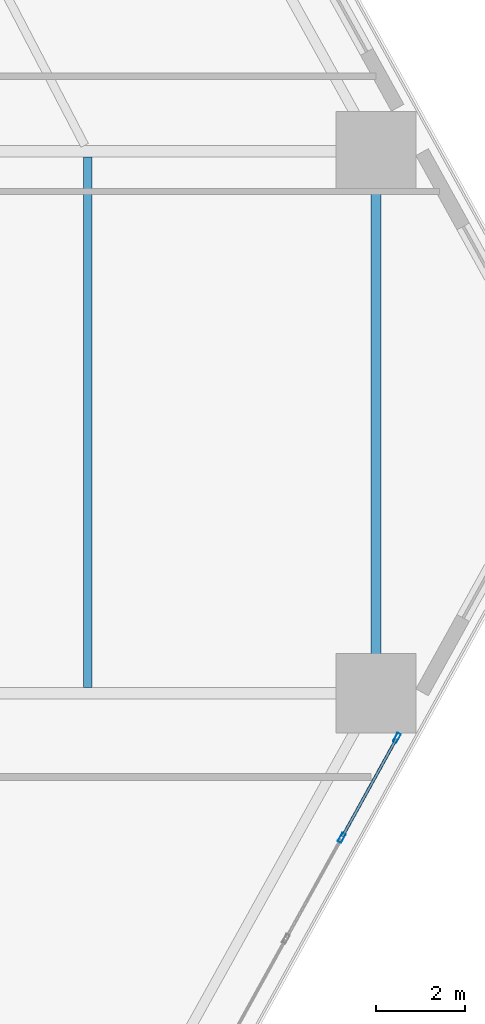
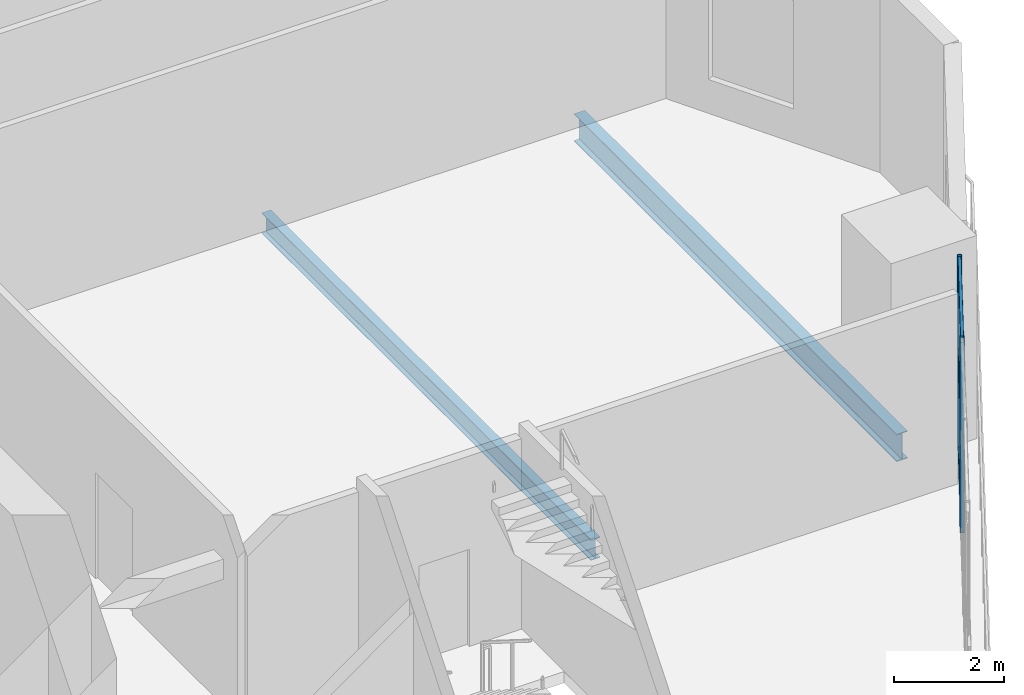
# One storey, part 4 of 18: 5 members, 2 beams, 1 element without a shape of its own.
"""IFC4 building model written with IfcOpenShell, lengths in metres."""

import ifcopenshell
import ifcopenshell.guid

model = None  # the IFC model being written
_history = None  # IfcOwnerHistory: only IFC2X3 demands one
_inside = {}  # id of a spatial element -> (the spatial element, [elements in it])
_under = {}  # id of a project, library or spatial element -> (it, [spatial elements below it])
_declared = {}  # id of a project -> (the project, [libraries it declares])
_typed = {}  # id of a type object -> (the type object, [elements of that type])
_made_of = {}  # id of a material, layer set ... -> (it, [elements and type objects made of it])


def new_model(schema):
    """Start an empty IFC model of exactly this schema.

    Asked for "IFC4X3", IfcOpenShell would pick the latest addendum, in which some entities
    have other attributes; the version numbers below select the first issue.
    IFC2X3 requires an IfcOwnerHistory on every rooted entity: one is made here for all.
    """
    global model, _history
    if schema == "IFC4X3":
        model = ifcopenshell.file(schema_version=(4, 3, 0, 0))
    else:
        model = ifcopenshell.file(schema=schema)
    _inside.clear()
    _under.clear()
    _declared.clear()
    _typed.clear()
    _made_of.clear()
    _history = None
    if model.schema == "IFC2X3":
        org = make("IfcOrganization", Name="unknown")
        user = make(
            "IfcPersonAndOrganization",
            ThePerson=make("IfcPerson", FamilyName="unknown"),
            TheOrganization=org,
        )
        app = make(
            "IfcApplication",
            ApplicationDeveloper=org,
            Version="unknown",
            ApplicationFullName="unknown",
            ApplicationIdentifier="unknown",
        )
        _history = make(
            "IfcOwnerHistory",
            OwningUser=user,
            OwningApplication=app,
            ChangeAction="ADDED",
            CreationDate=0,
        )
    return model


def make(cls, **values):
    """One entity of the class cls with the attributes given. An attribute that is None is left unset."""
    return model.create_entity(
        cls, **{name: value for name, value in values.items() if value is not None}
    )


def rooted(cls, **values):
    """An entity with a GlobalId (a new one), such as an element, a storey or a relation."""
    return make(cls, GlobalId=ifcopenshell.guid.new(), OwnerHistory=_history, **values)


def si_unit(unit_type, name, prefix=None):
    """IfcSIUnit, for example si_unit("LENGTHUNIT", "METRE", prefix="MILLI")."""
    return make("IfcSIUnit", UnitType=unit_type, Prefix=prefix, Name=name)


def assignment(units):
    """IfcUnitAssignment: the units of a project."""
    return None if units is None else make("IfcUnitAssignment", Units=units)


def point(xyz):
    """IfcCartesianPoint."""
    return None if xyz is None else make("IfcCartesianPoint", Coordinates=xyz)


def direction(xyz):
    """IfcDirection."""
    return None if xyz is None else make("IfcDirection", DirectionRatios=xyz)


def frame(location, z_axis=None, x_axis=None):
    """IfcAxis2Placement3D, a coordinate frame: its origin and axes. An axis left out is left unset."""
    return make(
        "IfcAxis2Placement3D",
        Location=point(location),
        Axis=direction(z_axis),
        RefDirection=direction(x_axis),
    )


def frame_2d(location, x_axis=None):
    """IfcAxis2Placement2D, a coordinate frame in the plane: its origin and x axis."""
    return make(
        "IfcAxis2Placement2D", Location=point(location), RefDirection=direction(x_axis)
    )


def origin():
    """The frame at (0, 0, 0) with its axes left unset."""
    return frame((0.0, 0.0, 0.0))


def origin_2d():
    """The frame at (0, 0) in the plane with its x axis left unset."""
    return frame_2d((0.0, 0.0))


def place(relative_to, where):
    """IfcLocalPlacement: puts the frame where relative to a parent placement (None: the world)."""
    return make(
        "IfcLocalPlacement", PlacementRelTo=relative_to, RelativePlacement=where
    )


def context(
    kind, dimensions, precision=None, world=None, true_north=None, identifier=None
):
    """IfcGeometricRepresentationContext, for example the 3D "Model" context."""
    return make(
        "IfcGeometricRepresentationContext",
        ContextIdentifier=identifier,
        ContextType=kind,
        CoordinateSpaceDimension=dimensions,
        Precision=precision,
        WorldCoordinateSystem=world,
        TrueNorth=true_north,
    )


def subcontext(parent, identifier, kind, view, scale=None):
    """IfcGeometricRepresentationSubContext, for example "Body" below "Model"."""
    return make(
        "IfcGeometricRepresentationSubContext",
        ContextIdentifier=identifier,
        ContextType=kind,
        ParentContext=parent,
        TargetScale=scale,
        TargetView=view,
    )


def project(units=None, contexts=None):
    """IfcProject with its units and contexts."""
    return rooted(
        "IfcProject",
        Name="project",
        RepresentationContexts=contexts,
        UnitsInContext=assignment(units),
    )


def spatial(cls, under=None, at=None, **own):
    """A site, building, storey or space (cls), placed at a placement, below another one or the project."""
    s = rooted(cls, ObjectPlacement=at, **own)
    if under is not None:
        _under.setdefault(under.id(), (under, []))[1].append(s)
    return s


def profile(cls, at=None, kind="AREA", **sizes):
    """A parametric profile (cls). Its sizes go by their IFC names, for example OverallWidth=200.0."""
    return make(cls, ProfileType=kind, Position=at, **sizes)


def hollow_rectangle(**sizes):
    """IfcRectangleHollowProfileDef."""
    return profile("IfcRectangleHollowProfileDef", **sizes)


def i_section(**sizes):
    """IfcIShapeProfileDef."""
    return profile("IfcIShapeProfileDef", **sizes)


def extrude(swept, where, along, depth):
    """IfcExtrudedAreaSolid: the profile swept, set in the frame where, extruded along a direction by depth."""
    return make(
        "IfcExtrudedAreaSolid",
        SweptArea=swept,
        Position=where,
        ExtrudedDirection=direction(along),
        Depth=depth,
    )


def shape(context_of_items, identifier, shape_type, items):
    """IfcShapeRepresentation: the items that make up one representation, for example the "Body"."""
    return make(
        "IfcShapeRepresentation",
        ContextOfItems=context_of_items,
        RepresentationIdentifier=identifier,
        RepresentationType=shape_type,
        Items=items,
    )


def material(Name=None, Category=None):
    """IfcMaterial."""
    return make("IfcMaterial", Name=Name, Category=Category)


def layer(
    of_material, thickness, ventilated=None, Name=None, Category=None, Priority=None
):
    """IfcMaterialLayer: one layer of a wall or slab, of a material (None: an air gap)."""
    return make(
        "IfcMaterialLayer",
        Material=of_material,
        LayerThickness=thickness,
        IsVentilated=ventilated,
        Name=Name,
        Category=Category,
        Priority=Priority,
    )


def layer_set(layers, Name=None):
    """IfcMaterialLayerSet."""
    return make("IfcMaterialLayerSet", MaterialLayers=layers, LayerSetName=Name)


def material_profile(
    of_material, cross_section, Name=None, Category=None, Priority=None
):
    """IfcMaterialProfile: a cross section and its material."""
    return make(
        "IfcMaterialProfile",
        Name=Name,
        Material=of_material,
        Profile=cross_section,
        Priority=Priority,
        Category=Category,
    )


def profile_set(profiles, Name=None, composite=None):
    """IfcMaterialProfileSet."""
    return make(
        "IfcMaterialProfileSet",
        Name=Name,
        MaterialProfiles=profiles,
        CompositeProfile=composite,
    )


def made_of(thing, what):
    """Note that an element or type object is made of a material, layer set ...; save() writes the relation."""
    if what is not None:
        _made_of.setdefault(what.id(), (what, []))[1].append(thing)
    return thing


def type_object(cls, material=None, **own):
    """A type object (cls), such as IfcWallType, which elements share."""
    return made_of(rooted(cls, **own), material)


def element(
    cls,
    number,
    at=None,
    inside=None,
    cuts=None,
    type_object=None,
    material=None,
    context=None,
    identifier="Body",
    shape_type=None,
    held_by="IfcProductDefinitionShape",
    body=None,
    shapes=None,
    **own,
):
    """One element of the class cls, such as IfcWall. Its Tag is "e" and its number.

    at: its placement. inside: the storey or other place that contains it. cuts: it is an
    opening in that element (IfcRelVoidsElement). A single representation is given by context,
    identifier, shape_type and body (its items); several are given by shapes. held_by: the class
    of the entity that holds the representations. save() writes the other relations.
    """
    e = rooted(cls, Tag="e%d" % number, ObjectPlacement=at, **own)
    if body is not None:
        shapes = [shape(context, identifier, shape_type, body)]
    if shapes is not None:
        e.Representation = make(held_by, Representations=shapes)
    if inside is not None:
        _inside.setdefault(inside.id(), (inside, []))[1].append(e)
    if cuts is not None:
        rooted(
            "IfcRelVoidsElement", RelatingBuildingElement=cuts, RelatedOpeningElement=e
        )
    if type_object is not None:
        _typed.setdefault(type_object.id(), (type_object, []))[1].append(e)
    return made_of(e, material)


def aggregate(whole, parts):
    """IfcRelAggregates: a whole, such as a stair, and the parts it consists of."""
    return rooted("IfcRelAggregates", RelatingObject=whole, RelatedObjects=parts)


def save(model, path):
    """Write the relations noted so far, then the file.

    IfcRelAggregates (storeys below a building ...), IfcRelContainedInSpatialStructure (elements
    in a storey), IfcRelDefinesByType, IfcRelAssociatesMaterial and IfcRelDeclares: one each for
    every whole, place, type object, material and project.
    """
    for whole, parts in _under.values():
        aggregate(whole, parts)
    for where, things in _inside.values():
        rooted(
            "IfcRelContainedInSpatialStructure",
            RelatedElements=things,
            RelatingStructure=where,
        )
    for kind, things in _typed.values():
        rooted("IfcRelDefinesByType", RelatedObjects=things, RelatingType=kind)
    for what, things in _made_of.values():
        rooted("IfcRelAssociatesMaterial", RelatedObjects=things, RelatingMaterial=what)
    for by, libraries in _declared.values():
        rooted("IfcRelDeclares", RelatingContext=by, RelatedDefinitions=libraries)
    model.write(path)


model = new_model("IFC4")

# Units and contexts
model_context = context("Model", 3, precision=1e-05, world=origin(), true_north=direction((0.0, 1.0)))
body_context = subcontext(model_context, "Body", "Model", "MODEL_VIEW")
ifc_project = project(units=[si_unit("LENGTHUNIT", "METRE"), si_unit("AREAUNIT", "SQUARE_METRE"), si_unit("VOLUMEUNIT", "CUBIC_METRE"), si_unit("PLANEANGLEUNIT", "RADIAN"), si_unit("MASSUNIT", "GRAM", prefix="KILO")], contexts=[model_context])

# Site, building, storey
site_placement = place(None, origin())
site = spatial("IfcSite", under=ifc_project, at=site_placement, CompositionType="ELEMENT")
building_placement = place(site_placement, origin())
building = spatial("IfcBuilding", under=site, at=building_placement, Name="Cinnabar Lancet Tower", CompositionType="ELEMENT")
storey_placement = place(building_placement, frame((0.0, 0.0, 15.0)))
storey = spatial("IfcBuildingStorey", under=building, at=storey_placement, Name="L03", CompositionType="ELEMENT", Elevation=15.0)

# Curtain wall, members
ifc_material_1 = material(Name="Thermally broken bronze-anodized aluminium and low-E glass", Category="aluminium")
ifc_layer = layer(ifc_material_1, 0.179931640625)
ifc_layer_set = layer_set([ifc_layer], Name="Thermally broken bronze-anodized aluminium and low-E glass")
curtain_wall_type = type_object("IfcCurtainWallType", Name="ENV-CW-SYS-02", PredefinedType="NOTDEFINED", material=ifc_layer_set)
curtain_wall_placement = place(storey_placement, origin())
curtain_wall = element("IfcCurtainWall", 1, at=curtain_wall_placement, inside=storey, type_object=curtain_wall_type, Name="L03 Face 2 Feature Curtain Wall", PredefinedType="NOTDEFINED")
ifc_material_2 = material(Name="Anodized architectural aluminium 6063-T6", Category="aluminium")
ifc_material_profile_1 = material_profile(ifc_material_2, hollow_rectangle(XDim=0.0849609375, YDim=0.219970703125, WallThickness=0.0048828125, InnerFilletRadius=0.00244140625, OuterFilletRadius=0.007568359375, at=origin_2d()), Name="CW-MUL 220x85x5")
ifc_profile_set_1 = profile_set([ifc_material_profile_1], Name="Anodized architectural aluminium 6063-T6")
member_type_1 = type_object("IfcMemberType", Name="ENV-CW-MUL-220", PredefinedType="MULLION", material=ifc_profile_set_1)
member_1_placement = place(storey_placement, frame((59.1220703125, 16.432861328125, 0.0), z_axis=(0.0, 0.0, 1.0), x_axis=(-0.875242391442, 0.48368456273, 0.0)))
member_1 = element("IfcMember", 2, at=member_1_placement, type_object=member_type_1, Name="CW-02 mullion 5", PredefinedType="MULLION", context=body_context, shape_type="SweptSolid", body=[
    extrude(hollow_rectangle(XDim=0.0849609375, YDim=0.219970703125, WallThickness=0.0048828125, InnerFilletRadius=0.00244140625, OuterFilletRadius=0.007568359375, at=origin_2d()), origin(), (0.0, 0.0, 1.0), 4.219970703125),
])
member_2_placement = place(storey_placement, frame((60.366455078125, 18.684814453125, 0.0), z_axis=(0.0, 0.0, 1.0), x_axis=(-0.875242391442, 0.48368456273, 0.0)))
member_2 = element("IfcMember", 3, at=member_2_placement, type_object=member_type_1, Name="CW-02 mullion 6", PredefinedType="MULLION", context=body_context, shape_type="SweptSolid", body=[
    extrude(hollow_rectangle(XDim=0.0849609375, YDim=0.219970703125, WallThickness=0.0048828125, InnerFilletRadius=0.00244140625, OuterFilletRadius=0.007568359375, at=origin_2d()), origin(), (0.0, 0.0, 1.0), 4.219970703125),
])
ifc_material_3 = material(Name="Anodized architectural aluminium 6063-T6", Category="aluminium")
ifc_material_profile_2 = material_profile(ifc_material_3, hollow_rectangle(XDim=0.06494140625, YDim=0.14990234375, WallThickness=0.00390625, InnerFilletRadius=0.001953125, OuterFilletRadius=0.006103515625, at=origin_2d()), Name="CW-TRN 150x65x4")
ifc_profile_set_2 = profile_set([ifc_material_profile_2], Name="Anodized architectural aluminium 6063-T6")
member_type_2 = type_object("IfcMemberType", Name="ENV-CW-TRN-160", PredefinedType="USERDEFINED", material=ifc_profile_set_2)
member_3_placement = place(storey_placement, frame((59.136474609375, 16.458984375, 0.030029296875), z_axis=(0.483711571576, 0.875227465019, 0.0), x_axis=(-0.875227465019, 0.483711571576, 0.0)))
member_3 = element("IfcMember", 4, at=member_3_placement, type_object=member_type_2, Name="CW-02 transom 5.1", ObjectType="TRANSOM", PredefinedType="USERDEFINED", context=body_context, shape_type="SweptSolid", body=[
    extrude(hollow_rectangle(XDim=0.06494140625, YDim=0.14990234375, WallThickness=0.00390625, InnerFilletRadius=0.001953125, OuterFilletRadius=0.006103515625, at=origin_2d()), origin(), (0.0, 0.0, 1.0), 2.512939453125),
])
member_4_placement = place(storey_placement, frame((59.136474609375, 16.458984375, 2.194091796875), z_axis=(0.483711571576, 0.875227465019, 0.0), x_axis=(-0.875227465019, 0.483711571576, 0.0)))
member_4 = element("IfcMember", 5, at=member_4_placement, type_object=member_type_2, Name="CW-02 transom 5.2", ObjectType="TRANSOM", PredefinedType="USERDEFINED", context=body_context, shape_type="SweptSolid", body=[
    extrude(hollow_rectangle(XDim=0.06494140625, YDim=0.14990234375, WallThickness=0.00390625, InnerFilletRadius=0.001953125, OuterFilletRadius=0.006103515625, at=origin_2d()), origin(), (0.0, 0.0, 1.0), 2.512939453125),
])
member_5_placement = place(storey_placement, frame((59.136474609375, 16.458984375, 4.18994140625), z_axis=(0.483711571576, 0.875227465019, 0.0), x_axis=(-0.875227465019, 0.483711571576, 0.0)))
member_5 = element("IfcMember", 6, at=member_5_placement, type_object=member_type_2, Name="CW-02 transom 5.3", ObjectType="TRANSOM", PredefinedType="USERDEFINED", context=body_context, shape_type="SweptSolid", body=[
    extrude(hollow_rectangle(XDim=0.06494140625, YDim=0.14990234375, WallThickness=0.00390625, InnerFilletRadius=0.001953125, OuterFilletRadius=0.006103515625, at=origin_2d()), origin(), (0.0, 0.0, 1.0), 2.512939453125),
])
aggregate(curtain_wall, [member_1, member_2, member_3, member_4, member_5])

# Beams
ifc_material_4 = material(Name="Structural steel S355", Category="steel")
ifc_material_profile_3 = material_profile(ifc_material_4, i_section(OverallWidth=0.1904296875, OverallDepth=0.45703125, WebThickness=0.009033203125, FlangeThickness=0.014404296875, FilletRadius=0.01025390625, at=origin_2d()), Name="UKB 457x191x74")
ifc_profile_set_3 = profile_set([ifc_material_profile_3], Name="Structural steel S355")
beam_type_1 = type_object("IfcBeamType", Name="STR-BM-JST-457", PredefinedType="JOIST", material=ifc_profile_set_3)
beam_1_placement = place(storey_placement, frame((53.39599609375, 19.824951171875, -0.47900390625), z_axis=(0.0, 1.0, 0.0), x_axis=(-1.0, 0.0, 0.0)))
element("IfcBeam", 7, at=beam_1_placement, inside=storey, type_object=beam_type_1, Name="L03 Secondary Floor Joist 1", PredefinedType="JOIST", context=body_context, shape_type="SweptSolid", body=[
    extrude(i_section(OverallWidth=0.1904296875, OverallDepth=0.45703125, WebThickness=0.009033203125, FlangeThickness=0.014404296875, FilletRadius=0.01025390625, at=origin_2d()), origin(), (0.0, 0.0, 1.0), 11.949951171875),
])
ifc_material_5 = material(Name="Structural steel S355", Category="steel")
ifc_material_profile_4 = material_profile(ifc_material_5, i_section(OverallWidth=0.228271484375, OverallDepth=0.607666015625, WebThickness=0.010986328125, FlangeThickness=0.017333984375, FilletRadius=0.0126953125, at=origin_2d()), Name="UKB 610x229x113")
ifc_profile_set_4 = profile_set([ifc_material_profile_4], Name="Structural steel S355")
beam_type_2 = type_object("IfcBeamType", Name="STR-BM-SPN-610", PredefinedType="SPANDREL", material=ifc_profile_set_4)
beam_2_placement = place(storey_placement, frame((59.89111328125, 19.94189453125, -0.553955078125), z_axis=(0.0, 1.0, 0.0), x_axis=(-1.0, 0.0, 0.0)))
element("IfcBeam", 8, at=beam_2_placement, inside=storey, type_object=beam_type_2, Name="L03 Perimeter Spandrel 4", PredefinedType="SPANDREL", context=body_context, shape_type="SweptSolid", body=[
    extrude(i_section(OverallWidth=0.228271484375, OverallDepth=0.607666015625, WebThickness=0.010986328125, FlangeThickness=0.017333984375, FilletRadius=0.0126953125, at=origin_2d()), origin(), (0.0, 0.0, 1.0), 11.716064453125),
])

save(model, "model.ifc")
